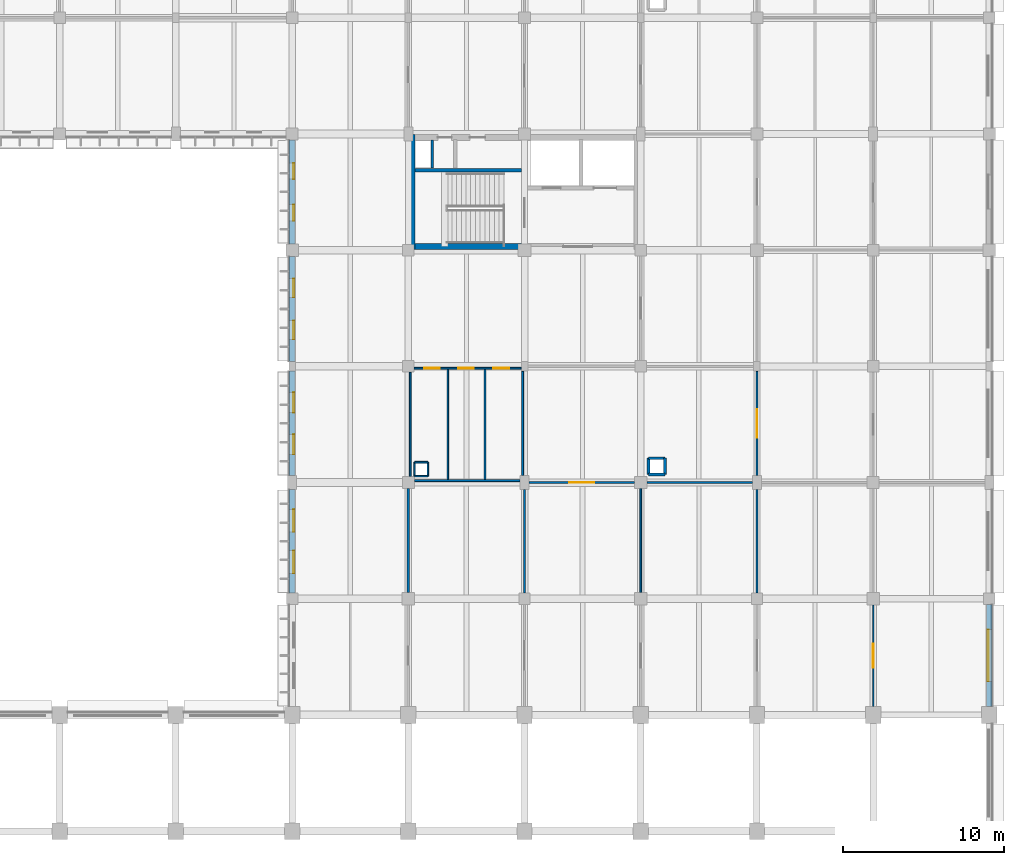
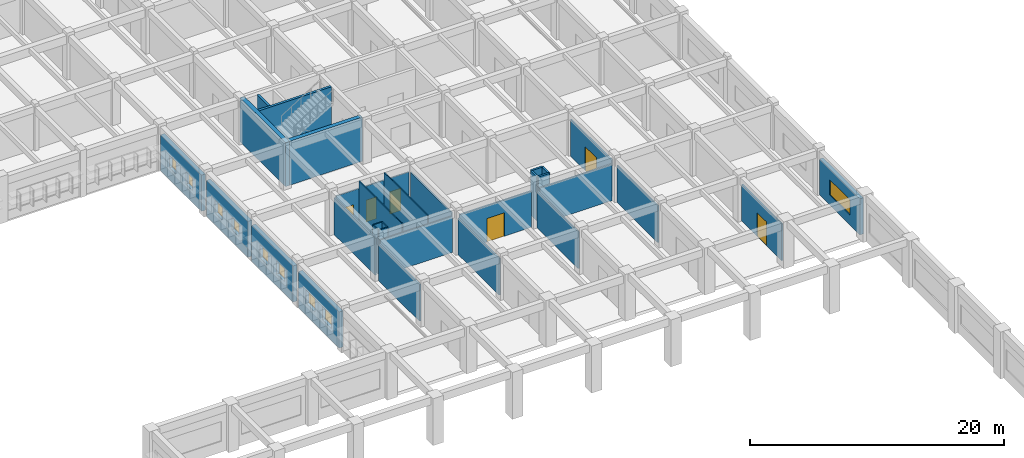
# One storey, part 50 of 61: 31 walls, 9 windows, 6 doors, 15 openings.
"""IFC4 building model written with IfcOpenShell, lengths in metres."""

from ifc_helpers import new_model, si_unit, direction, frame, frame_2d, origin, place, context, subcontext, project, spatial, rectangle, extrude, material, layer, layer_set, type_object, element, fill, save


model = new_model("IFC4")

# Units and contexts
model_context = context("Model", 3, precision=1e-05, world=origin(), true_north=direction((0.0, 1.0)))
body_context = subcontext(model_context, "Body", "Model", "MODEL_VIEW")
ifc_project = project(units=[si_unit("LENGTHUNIT", "METRE"), si_unit("AREAUNIT", "SQUARE_METRE"), si_unit("VOLUMEUNIT", "CUBIC_METRE"), si_unit("PLANEANGLEUNIT", "RADIAN"), si_unit("MASSUNIT", "GRAM", prefix="KILO")], contexts=[model_context])

# Site, building, storey
site_placement = place(None, origin())
site = spatial("IfcSite", under=ifc_project, at=site_placement, CompositionType="ELEMENT")
building_placement = place(site_placement, origin())
building = spatial("IfcBuilding", under=site, at=building_placement, Name="Thalmaran Polytechnic", CompositionType="ELEMENT")
storey_placement = place(building_placement, frame((0.0, 0.0, 9.89990234375)))
storey = spatial("IfcBuildingStorey", under=building, at=storey_placement, Name="L02", CompositionType="ELEMENT", Elevation=9.89990234375)

# Wall, openings, windows
ifc_material_1 = material(Name="Precast concrete C40/50", Category="concrete")
ifc_layer_1 = layer(ifc_material_1, 0.360107421875, Name="Precast concrete C40/50")
ifc_layer_set_1 = layer_set([ifc_layer_1], Name="Precast concrete C40/50")
wall_type_1 = type_object("IfcWallType", Name="WL-EW01", PredefinedType="STANDARD", material=ifc_layer_set_1)
wall_1_placement = place(storey_placement, frame((129.60009765625, 65.14990234375, 0.0), z_axis=(0.0, 0.0, 1.0), x_axis=(0.0, 1.0, 0.0)))
wall_1 = element("IfcWall", 1, at=wall_1_placement, inside=storey, type_object=wall_type_1, Name="Exterior Precast Facade Wall L02-160", PredefinedType="STANDARD", context=body_context, shape_type="SweptSolid", body=[
    extrude(rectangle(XDim=6.425048828125, YDim=0.360107421875, at=frame_2d((3.21240234375, 0.0))), origin(), (0.0, 0.0, 1.0), 3.47021484375),
])
opening_1_placement = place(wall_1_placement, frame((1.2275390625, 0.0, 1.14990234375)))
opening_1 = element("IfcOpeningElement", 2, at=opening_1_placement, cuts=wall_1, Name="Opening VW10", PredefinedType="OPENING", context=body_context, shape_type="SweptSolid", body=[
    extrude(rectangle(XDim=1.39990234375, YDim=1.300048828125, at=frame_2d((0.699951171875, 0.64990234375))), frame((0.0, 0.18994140625, 0.0), z_axis=(0.0, -1.0, 0.0), x_axis=(1.0, 0.0, 0.0)), (0.0, 0.0, 1.0), 0.380126953125),
])
opening_2_placement = place(wall_1_placement, frame((3.797607421875, 0.0, 1.14990234375)))
opening_2 = element("IfcOpeningElement", 3, at=opening_2_placement, cuts=wall_1, Name="Opening VW10", PredefinedType="OPENING", context=body_context, shape_type="SweptSolid", body=[
    extrude(rectangle(XDim=1.39990234375, YDim=1.300048828125, at=frame_2d((0.699951171875, 0.64990234375))), frame((0.0, 0.18994140625, 0.0), z_axis=(0.0, -1.0, 0.0), x_axis=(1.0, 0.0, 0.0)), (0.0, 0.0, 1.0), 0.380126953125),
])
ifc_material_2 = material(Name="Thermally broken aluminium and double low-E glass", Category="aluminium")
window_type_1 = type_object("IfcWindowType", Name="WN-VZ10", PartitioningType="SINGLE_PANEL", PredefinedType="WINDOW", material=ifc_material_2)
window_1_placement = place(opening_1_placement, origin())
window_1 = element("IfcWindow", 4, at=window_1_placement, inside=storey, type_object=window_type_1, Name="Deep-Set Solar-Screened Window W-0374", OverallHeight=1.300048828125, OverallWidth=1.39990234375, PartitioningType="SINGLE_PANEL", PredefinedType="WINDOW", context=body_context, shape_type="SweptSolid", body=[
    extrude(rectangle(XDim=1.39990234375, YDim=1.300048828125, at=frame_2d((0.699951171875, 0.64990234375))), frame((0.0, -0.080078125, 0.0), z_axis=(0.0, -1.0, 0.0), x_axis=(1.0, 0.0, 0.0)), (0.0, 0.0, 1.0), 0.06005859375),
])
fill(opening_1, window_1)
window_2_placement = place(opening_2_placement, origin())
window_2 = element("IfcWindow", 5, at=window_2_placement, inside=storey, type_object=window_type_1, Name="Deep-Set Solar-Screened Window W-0375", OverallHeight=1.300048828125, OverallWidth=1.39990234375, PartitioningType="SINGLE_PANEL", PredefinedType="WINDOW", context=body_context, shape_type="SweptSolid", body=[
    extrude(rectangle(XDim=1.39990234375, YDim=1.300048828125, at=frame_2d((0.699951171875, 0.64990234375))), frame((0.0, -0.080078125, 0.0), z_axis=(0.0, -1.0, 0.0), x_axis=(1.0, 0.0, 0.0)), (0.0, 0.0, 1.0), 0.06005859375),
])
fill(opening_2, window_2)

wall_2_placement = place(storey_placement, frame((129.60009765625, 72.425048828125, 0.0), z_axis=(0.0, 0.0, 1.0), x_axis=(0.0, 1.0, 0.0)))
wall_2 = element("IfcWall", 6, at=wall_2_placement, inside=storey, type_object=wall_type_1, Name="Exterior Precast Facade Wall L02-161", PredefinedType="STANDARD", context=body_context, shape_type="SweptSolid", body=[
    extrude(rectangle(XDim=6.474853515625, YDim=0.360107421875, at=frame_2d((3.2373046875, 0.0))), origin(), (0.0, 0.0, 1.0), 3.47021484375),
])
opening_3_placement = place(wall_2_placement, frame((1.3173828125, 0.0, 1.14990234375)))
opening_3 = element("IfcOpeningElement", 7, at=opening_3_placement, cuts=wall_2, Name="Opening VW11", PredefinedType="OPENING", context=body_context, shape_type="SweptSolid", body=[
    extrude(rectangle(XDim=1.25, YDim=1.25, at=frame_2d((0.625, 0.625))), frame((0.0, 0.18994140625, 0.0), z_axis=(0.0, -1.0, 0.0), x_axis=(1.0, 0.0, 0.0)), (0.0, 0.0, 1.0), 0.380126953125),
])
opening_4_placement = place(wall_2_placement, frame((3.907470703125, 0.0, 1.14990234375)))
opening_4 = element("IfcOpeningElement", 8, at=opening_4_placement, cuts=wall_2, Name="Opening VW11", PredefinedType="OPENING", context=body_context, shape_type="SweptSolid", body=[
    extrude(rectangle(XDim=1.25, YDim=1.25, at=frame_2d((0.625, 0.625))), frame((0.0, 0.18994140625, 0.0), z_axis=(0.0, -1.0, 0.0), x_axis=(1.0, 0.0, 0.0)), (0.0, 0.0, 1.0), 0.380126953125),
])
window_type_2 = type_object("IfcWindowType", Name="WN-VZ11", PartitioningType="SINGLE_PANEL", PredefinedType="WINDOW", material=ifc_material_2)
window_3_placement = place(opening_3_placement, origin())
window_3 = element("IfcWindow", 9, at=window_3_placement, inside=storey, type_object=window_type_2, Name="Deep-Set Solar-Screened Window W-0376", OverallHeight=1.25, OverallWidth=1.25, PartitioningType="SINGLE_PANEL", PredefinedType="WINDOW", context=body_context, shape_type="SweptSolid", body=[
    extrude(rectangle(XDim=1.25, YDim=1.25, at=frame_2d((0.625, 0.625))), frame((0.0, -0.080078125, 0.0), z_axis=(0.0, -1.0, 0.0), x_axis=(1.0, 0.0, 0.0)), (0.0, 0.0, 1.0), 0.06005859375),
])
fill(opening_3, window_3)
window_4_placement = place(opening_4_placement, origin())
window_4 = element("IfcWindow", 10, at=window_4_placement, inside=storey, type_object=window_type_2, Name="Deep-Set Solar-Screened Window W-0377", OverallHeight=1.25, OverallWidth=1.25, PartitioningType="SINGLE_PANEL", PredefinedType="WINDOW", context=body_context, shape_type="SweptSolid", body=[
    extrude(rectangle(XDim=1.25, YDim=1.25, at=frame_2d((0.625, 0.625))), frame((0.0, -0.080078125, 0.0), z_axis=(0.0, -1.0, 0.0), x_axis=(1.0, 0.0, 0.0)), (0.0, 0.0, 1.0), 0.06005859375),
])
fill(opening_4, window_4)

wall_3_placement = place(storey_placement, frame((129.60009765625, 79.5, 0.0), z_axis=(0.0, 0.0, 1.0), x_axis=(0.0, 1.0, 0.0)))
wall_3 = element("IfcWall", 11, at=wall_3_placement, inside=storey, type_object=wall_type_1, Name="Exterior Precast Facade Wall L02-162", PredefinedType="STANDARD", context=body_context, shape_type="SweptSolid", body=[
    extrude(rectangle(XDim=6.510009765625, YDim=0.360107421875, at=frame_2d((3.2548828125, 0.0))), origin(), (0.0, 0.0, 1.0), 3.47021484375),
])
opening_5_placement = place(wall_3_placement, frame((1.3779296875, 0.0, 1.14990234375)))
opening_5 = element("IfcOpeningElement", 12, at=opening_5_placement, cuts=wall_3, Name="Opening VW12", PredefinedType="OPENING", context=body_context, shape_type="SweptSolid", body=[
    extrude(rectangle(XDim=1.14990234375, YDim=1.199951171875, at=frame_2d((0.574951171875, 0.60009765625))), frame((0.0, 0.18994140625, 0.0), z_axis=(0.0, -1.0, 0.0), x_axis=(1.0, 0.0, 0.0)), (0.0, 0.0, 1.0), 0.380126953125),
])
opening_6_placement = place(wall_3_placement, frame((3.98193359375, 0.0, 1.14990234375)))
opening_6 = element("IfcOpeningElement", 13, at=opening_6_placement, cuts=wall_3, Name="Opening VW12", PredefinedType="OPENING", context=body_context, shape_type="SweptSolid", body=[
    extrude(rectangle(XDim=1.14990234375, YDim=1.199951171875, at=frame_2d((0.574951171875, 0.60009765625))), frame((0.0, 0.18994140625, 0.0), z_axis=(0.0, -1.0, 0.0), x_axis=(1.0, 0.0, 0.0)), (0.0, 0.0, 1.0), 0.380126953125),
])
window_type_3 = type_object("IfcWindowType", Name="WN-VZ12", PartitioningType="SINGLE_PANEL", PredefinedType="WINDOW", material=ifc_material_2)
window_5_placement = place(opening_5_placement, origin())
window_5 = element("IfcWindow", 14, at=window_5_placement, inside=storey, type_object=window_type_3, Name="Deep-Set Solar-Screened Window W-0378", OverallHeight=1.199951171875, OverallWidth=1.14990234375, PartitioningType="SINGLE_PANEL", PredefinedType="WINDOW", context=body_context, shape_type="SweptSolid", body=[
    extrude(rectangle(XDim=1.14990234375, YDim=1.199951171875, at=frame_2d((0.574951171875, 0.60009765625))), frame((0.0, -0.080078125, 0.0), z_axis=(0.0, -1.0, 0.0), x_axis=(1.0, 0.0, 0.0)), (0.0, 0.0, 1.0), 0.06005859375),
])
fill(opening_5, window_5)
window_6_placement = place(opening_6_placement, origin())
window_6 = element("IfcWindow", 15, at=window_6_placement, inside=storey, type_object=window_type_3, Name="Deep-Set Solar-Screened Window W-0379", OverallHeight=1.199951171875, OverallWidth=1.14990234375, PartitioningType="SINGLE_PANEL", PredefinedType="WINDOW", context=body_context, shape_type="SweptSolid", body=[
    extrude(rectangle(XDim=1.14990234375, YDim=1.199951171875, at=frame_2d((0.574951171875, 0.60009765625))), frame((0.0, -0.080078125, 0.0), z_axis=(0.0, -1.0, 0.0), x_axis=(1.0, 0.0, 0.0)), (0.0, 0.0, 1.0), 0.06005859375),
])
fill(opening_6, window_6)

wall_4_placement = place(storey_placement, frame((129.60009765625, 86.7900390625, 0.0), z_axis=(0.0, 0.0, 1.0), x_axis=(0.0, 1.0, 0.0)))
wall_4 = element("IfcWall", 16, at=wall_4_placement, inside=storey, type_object=wall_type_1, Name="Exterior Precast Facade Wall L02-163", PredefinedType="STANDARD", context=body_context, shape_type="SweptSolid", body=[
    extrude(rectangle(XDim=6.43505859375, YDim=0.360107421875, at=frame_2d((3.217529296875, 0.0))), origin(), (0.0, 0.0, 1.0), 3.47021484375),
])
opening_7_placement = place(wall_4_placement, frame((1.430419921875, 0.0, 1.14990234375)))
opening_7 = element("IfcOpeningElement", 17, at=opening_7_placement, cuts=wall_4, Name="Opening VW13", PredefinedType="OPENING", context=body_context, shape_type="SweptSolid", body=[
    extrude(rectangle(XDim=1.0, YDim=1.199951171875, at=frame_2d((0.5, 0.60009765625))), frame((0.0, 0.18994140625, 0.0), z_axis=(0.0, -1.0, 0.0), x_axis=(1.0, 0.0, 0.0)), (0.0, 0.0, 1.0), 0.380126953125),
])
opening_8_placement = place(wall_4_placement, frame((4.00439453125, 0.0, 1.14990234375)))
opening_8 = element("IfcOpeningElement", 18, at=opening_8_placement, cuts=wall_4, Name="Opening VW13", PredefinedType="OPENING", context=body_context, shape_type="SweptSolid", body=[
    extrude(rectangle(XDim=1.0, YDim=1.199951171875, at=frame_2d((0.5, 0.60009765625))), frame((0.0, 0.18994140625, 0.0), z_axis=(0.0, -1.0, 0.0), x_axis=(1.0, 0.0, 0.0)), (0.0, 0.0, 1.0), 0.380126953125),
])
window_type_4 = type_object("IfcWindowType", Name="WN-VZ13", PartitioningType="SINGLE_PANEL", PredefinedType="WINDOW", material=ifc_material_2)
window_7_placement = place(opening_7_placement, origin())
window_7 = element("IfcWindow", 19, at=window_7_placement, inside=storey, type_object=window_type_4, Name="Deep-Set Solar-Screened Window W-0380", OverallHeight=1.199951171875, OverallWidth=1.0, PartitioningType="SINGLE_PANEL", PredefinedType="WINDOW", context=body_context, shape_type="SweptSolid", body=[
    extrude(rectangle(XDim=1.0, YDim=1.199951171875, at=frame_2d((0.5, 0.60009765625))), frame((0.0, -0.080078125, 0.0), z_axis=(0.0, -1.0, 0.0), x_axis=(1.0, 0.0, 0.0)), (0.0, 0.0, 1.0), 0.06005859375),
])
fill(opening_7, window_7)
window_8_placement = place(opening_8_placement, origin())
window_8 = element("IfcWindow", 20, at=window_8_placement, inside=storey, type_object=window_type_4, Name="Deep-Set Solar-Screened Window W-0381", OverallHeight=1.199951171875, OverallWidth=1.0, PartitioningType="SINGLE_PANEL", PredefinedType="WINDOW", context=body_context, shape_type="SweptSolid", body=[
    extrude(rectangle(XDim=1.0, YDim=1.199951171875, at=frame_2d((0.5, 0.60009765625))), frame((0.0, -0.080078125, 0.0), z_axis=(0.0, -1.0, 0.0), x_axis=(1.0, 0.0, 0.0)), (0.0, 0.0, 1.0), 0.06005859375),
])
fill(opening_8, window_8)

# Wall, opening, window
ifc_layer_2 = layer(ifc_material_1, 0.330078125, Name="Precast concrete C40/50")
ifc_layer_set_2 = layer_set([ifc_layer_2], Name="Precast concrete C40/50")
wall_type_2 = type_object("IfcWallType", Name="WL-EW02", PredefinedType="STANDARD", material=ifc_layer_set_2)
wall_5_placement = place(storey_placement, frame((172.800048828125, 64.449951171875, 0.0), z_axis=(0.0, 0.0, 1.0), x_axis=(0.0, -1.0, 0.0)))
wall_5 = element("IfcWall", 21, at=wall_5_placement, inside=storey, type_object=wall_type_2, Name="Exterior Precast Facade Wall L02-060", PredefinedType="STANDARD", context=body_context, shape_type="SweptSolid", body=[
    extrude(rectangle(XDim=6.324951171875, YDim=0.330078125, at=frame_2d((3.16259765625, 0.0))), origin(), (0.0, 0.0, 1.0), 3.460205078125),
])
opening_9_placement = place(wall_5_placement, frame((1.5625, 0.0, 0.97998046875)))
opening_9 = element("IfcOpeningElement", 22, at=opening_9_placement, cuts=wall_5, Name="Opening RW04", PredefinedType="OPENING", context=body_context, shape_type="SweptSolid", body=[
    extrude(rectangle(XDim=3.199951171875, YDim=1.449951171875, at=frame_2d((1.60009765625, 0.72509765625))), frame((0.0, 0.175048828125, 0.0), z_axis=(0.0, -1.0, 0.0), x_axis=(1.0, 0.0, 0.0)), (0.0, 0.0, 1.0), 0.35009765625),
])
window_type_5 = type_object("IfcWindowType", Name="WN-RW04", PartitioningType="DOUBLE_PANEL_VERTICAL", PredefinedType="WINDOW", material=ifc_material_2)
window_9_placement = place(opening_9_placement, origin())
window_9 = element("IfcWindow", 23, at=window_9_placement, inside=storey, type_object=window_type_5, Name="Streamline Ribbon Window W-0260", OverallHeight=1.449951171875, OverallWidth=3.199951171875, PartitioningType="SINGLE_PANEL", PredefinedType="WINDOW", context=body_context, shape_type="SweptSolid", body=[
    extrude(rectangle(XDim=3.199951171875, YDim=1.449951171875, at=frame_2d((1.60009765625, 0.72509765625))), frame((0.0, -0.030029296875, 0.0), z_axis=(0.0, -1.0, 0.0), x_axis=(1.0, 0.0, 0.0)), (0.0, 0.0, 1.0), 0.06005859375),
])
fill(opening_9, window_9)

# Walls
ifc_material_3 = material(Name="Autoclaved aerated masonry", Category="masonry")
ifc_layer_3 = layer(ifc_material_3, 0.179931640625, Name="Autoclaved aerated masonry")
ifc_layer_set_3 = layer_set([ifc_layer_3], Name="Autoclaved aerated masonry")
wall_type_3 = type_object("IfcWallType", Name="WL-IW04", PredefinedType="PARTITIONING", material=ifc_layer_set_3)
wall_6_placement = place(storey_placement, frame((138.280029296875, 91.47998046875, 0.0), z_axis=(0.0, 0.0, 1.0), x_axis=(0.0, 1.0, 0.0)))
element("IfcWall", 24, at=wall_6_placement, inside=storey, type_object=wall_type_3, Name="Core C5 Riser Shaft Enclosure Wall L02", PredefinedType="PARTITIONING", context=body_context, shape_type="SweptSolid", body=[
    extrude(rectangle(XDim=1.760009765625, YDim=0.179931640625, at=frame_2d((0.8798828125, 0.0))), origin(), (0.0, 0.0, 1.0), 4.22509765625),
])
for number, where, z_axis, x_axis, name in (
    (25, (151.68994140625, 72.489990234375, 0.0), (0.0, 0.0, 1.0), (1.0, 0.0, 0.0), "Fume Exhaust Riser Shaft Wall L02 (21,10)-S"),
    (26, (152.7099609375, 72.489990234375, 0.0), (0.0, 0.0, 1.0), (0.0, 1.0, 0.0), "Fume Exhaust Riser Shaft Wall L02 (21,10)-E"),
    (27, (152.7099609375, 73.510009765625, 0.0), (0.0, 0.0, 1.0), (-1.0, 0.0, 0.0), "Fume Exhaust Riser Shaft Wall L02 (21,10)-N"),
    (28, (151.68994140625, 73.510009765625, 0.0), (0.0, 0.0, 1.0), (0.0, -1.0, 0.0), "Fume Exhaust Riser Shaft Wall L02 (21,10)-W"),
):
    element("IfcWall", number, at=place(storey_placement, frame(where, z_axis=z_axis, x_axis=x_axis)), inside=storey, type_object=wall_type_3, Name=name, PredefinedType="PARTITIONING", context=body_context, shape_type="SweptSolid", body=[
        extrude(rectangle(XDim=1.02001953125, YDim=0.179931640625, at=frame_2d((0.510009765625, 0.0))), origin(), (0.0, 0.0, 1.0), 4.22509765625),
    ])
ifc_material_4 = material(Name="Gypsum acoustic partition")
ifc_layer_4 = layer(ifc_material_4, 0.14501953125, Name="Gypsum acoustic partition")
ifc_layer_set_4 = layer_set([ifc_layer_4], Name="Gypsum acoustic partition")
wall_type_4 = type_object("IfcWallType", Name="WL-IW06", PredefinedType="PARTITIONING", material=ifc_layer_set_4)
wall_7_placement = place(storey_placement, frame((136.800048828125, 65.195068359375, 0.0), z_axis=(0.0, 0.0, 1.0), x_axis=(0.0, 1.0, 0.0)))
element("IfcWall", 29, at=wall_7_placement, inside=storey, type_object=wall_type_4, Name="Interior Partition IW06 L02-114", PredefinedType="PARTITIONING", context=body_context, shape_type="SweptSolid", body=[
    extrude(rectangle(XDim=6.425048828125, YDim=0.14501953125, at=frame_2d((3.21240234375, 0.0))), origin(), (0.0, 0.0, 1.0), 3.530029296875),
])
ifc_layer_5 = layer(ifc_material_4, 0.1298828125, Name="Gypsum acoustic partition")
ifc_layer_set_5 = layer_set([ifc_layer_5], Name="Gypsum acoustic partition")
wall_type_5 = type_object("IfcWallType", Name="WL-IW07", PredefinedType="PARTITIONING", material=ifc_layer_set_5)
wall_8_placement = place(storey_placement, frame((144.0, 65.155029296875, 0.0), z_axis=(0.0, 0.0, 1.0), x_axis=(0.0, 1.0, 0.0)))
element("IfcWall", 30, at=wall_8_placement, inside=storey, type_object=wall_type_5, Name="Interior Partition IW07 L02-120", PredefinedType="PARTITIONING", context=body_context, shape_type="SweptSolid", body=[
    extrude(rectangle(XDim=6.4150390625, YDim=0.1298828125, at=frame_2d((3.20751953125, 0.0))), origin(), (0.0, 0.0, 1.0), 3.530029296875),
])

# Wall, opening, door
wall_9_placement = place(storey_placement, frame((144.280029296875, 72.0, 0.0), z_axis=(0.0, 0.0, 1.0), x_axis=(1.0, 0.0, 0.0)))
wall_9 = element("IfcWall", 31, at=wall_9_placement, inside=storey, type_object=wall_type_5, Name="Interior Partition IW07 L02-128", PredefinedType="PARTITIONING", context=body_context, shape_type="SweptSolid", body=[
    extrude(rectangle(XDim=6.5400390625, YDim=0.1298828125, at=frame_2d((3.27001953125, 0.0))), origin(), (0.0, 0.0, 1.0), 3.485107421875),
])
opening_10_placement = place(wall_9_placement, frame((2.489990234375, 0.0, 0.0)))
opening_10 = element("IfcOpeningElement", 32, at=opening_10_placement, cuts=wall_9, Name="Opening D-L02-037-5-05-1", PredefinedType="OPENING", context=body_context, shape_type="SweptSolid", body=[
    extrude(rectangle(XDim=1.56005859375, YDim=2.25, at=frame_2d((0.780029296875, 1.125))), frame((0.0, 0.074951171875, 0.0), z_axis=(0.0, -1.0, 0.0), x_axis=(1.0, 0.0, 0.0)), (0.0, 0.0, 1.0), 0.14990234375),
])
ifc_material_5 = material(Name="Acoustic hardwood and vision glass", Category="wood")
door_type_1 = type_object("IfcDoorType", Name="DR-ZD03", OperationType="NOTDEFINED", PredefinedType="DOOR", material=ifc_material_5)
door_1_placement = place(opening_10_placement, origin())
door_1 = element("IfcDoor", 33, at=door_1_placement, inside=storey, type_object=door_type_1, Name="Marine Systems Laboratory L02-05 Door 1", OperationType="SINGLE_SWING_RIGHT", OverallHeight=2.25, OverallWidth=1.56005859375, PredefinedType="DOOR", context=body_context, shape_type="SweptSolid", body=[
    extrude(rectangle(XDim=1.56005859375, YDim=2.25, at=frame_2d((0.780029296875, 1.125))), frame((0.0, 0.02490234375, 0.0), z_axis=(0.0, -1.0, 0.0), x_axis=(1.0, 0.0, 0.0)), (0.0, 0.0, 1.0), 0.050048828125),
])
fill(opening_10, door_1)

# Walls
wall_10_placement = place(storey_placement, frame((151.580078125, 72.0, 0.0), z_axis=(0.0, 0.0, 1.0), x_axis=(1.0, 0.0, 0.0)))
element("IfcWall", 34, at=wall_10_placement, inside=storey, type_object=wall_type_5, Name="Interior Partition IW07 L02-138", PredefinedType="PARTITIONING", context=body_context, shape_type="SweptSolid", body=[
    extrude(rectangle(XDim=6.5400390625, YDim=0.1298828125, at=frame_2d((3.27001953125, 0.0))), origin(), (0.0, 0.0, 1.0), 3.5),
])
ifc_layer_6 = layer(ifc_material_4, 0.114990234375, Name="Gypsum acoustic partition")
ifc_layer_set_6 = layer_set([ifc_layer_6], Name="Gypsum acoustic partition")
wall_type_6 = type_object("IfcWallType", Name="WL-IW08", PredefinedType="PARTITIONING", material=ifc_layer_set_6)
wall_11_placement = place(storey_placement, frame((137.179931640625, 72.1201171875, 0.0), z_axis=(0.0, 0.0, 1.0), x_axis=(1.0, 0.0, 0.0)))
element("IfcWall", 35, at=wall_11_placement, inside=storey, type_object=wall_type_6, Name="Sanitary Core Wall L02-W3-S", PredefinedType="PARTITIONING", context=body_context, shape_type="SweptSolid", body=[
    extrude(rectangle(XDim=6.5400390625, YDim=0.114990234375, at=frame_2d((3.27001953125, 0.0))), origin(), (0.0, 0.0, 1.0), 3.47509765625),
])

# Wall, openings, doors
wall_12_placement = place(storey_placement, frame((137.1650390625, 79.080078125, 0.0), z_axis=(0.0, 0.0, 1.0), x_axis=(1.0, 0.0, 0.0)))
wall_12 = element("IfcWall", 36, at=wall_12_placement, inside=storey, type_object=wall_type_6, Name="Sanitary Core Wall L02-W3-N", PredefinedType="PARTITIONING", context=body_context, shape_type="SweptSolid", body=[
    extrude(rectangle(XDim=6.6298828125, YDim=0.114990234375, at=frame_2d((3.31494140625, 0.0))), origin(), (0.0, 0.0, 1.0), 3.47509765625),
])
opening_11_placement = place(wall_12_placement, frame((0.635009765625, 0.0, 0.0)))
opening_11 = element("IfcOpeningElement", 37, at=opening_11_placement, cuts=wall_12, Name="Opening WD-L02-W3-1", PredefinedType="OPENING", context=body_context, shape_type="SweptSolid", body=[
    extrude(rectangle(XDim=0.949951171875, YDim=2.10009765625, at=frame_2d((0.47509765625, 1.050048828125))), frame((0.0, 0.0673828125, 0.0), z_axis=(0.0, -1.0, 0.0), x_axis=(1.0, 0.0, 0.0)), (0.0, 0.0, 1.0), 0.135009765625),
])
opening_12_placement = place(wall_12_placement, frame((2.735107421875, 0.0, 0.0)))
opening_12 = element("IfcOpeningElement", 38, at=opening_12_placement, cuts=wall_12, Name="Opening WD-L02-W3-2", PredefinedType="OPENING", context=body_context, shape_type="SweptSolid", body=[
    extrude(rectangle(XDim=0.949951171875, YDim=2.10009765625, at=frame_2d((0.47509765625, 1.050048828125))), frame((0.0, 0.0673828125, 0.0), z_axis=(0.0, -1.0, 0.0), x_axis=(1.0, 0.0, 0.0)), (0.0, 0.0, 1.0), 0.135009765625),
])
opening_13_placement = place(wall_12_placement, frame((4.885009765625, 0.0, 0.0)))
opening_13 = element("IfcOpeningElement", 39, at=opening_13_placement, cuts=wall_12, Name="Opening WD-L02-W3-3", PredefinedType="OPENING", context=body_context, shape_type="SweptSolid", body=[
    extrude(rectangle(XDim=1.0, YDim=2.14990234375, at=frame_2d((0.5, 1.074951171875))), frame((0.0, 0.0673828125, 0.0), z_axis=(0.0, -1.0, 0.0), x_axis=(1.0, 0.0, 0.0)), (0.0, 0.0, 1.0), 0.135009765625),
])
ifc_material_6 = material(Name="Acoustic hardwood", Category="wood")
door_type_2 = type_object("IfcDoorType", Name="DR-ID06", OperationType="NOTDEFINED", PredefinedType="DOOR", material=ifc_material_6)
door_2_placement = place(opening_13_placement, origin())
door_2 = element("IfcDoor", 40, at=door_2_placement, inside=storey, type_object=door_type_2, Name="Accessible WC Door L02-W3", OperationType="SINGLE_SWING_LEFT", OverallHeight=2.14990234375, OverallWidth=1.0, PredefinedType="DOOR", context=body_context, shape_type="SweptSolid", body=[
    extrude(rectangle(XDim=1.0, YDim=2.14990234375, at=frame_2d((0.5, 1.074951171875))), frame((0.0, 0.02490234375, 0.0), z_axis=(0.0, -1.0, 0.0), x_axis=(1.0, 0.0, 0.0)), (0.0, 0.0, 1.0), 0.050048828125),
])
fill(opening_13, door_2)
ifc_material_7 = material(Name="Moisture-resistant laminate timber", Category="wood")
door_type_3 = type_object("IfcDoorType", Name="DR-ID07", OperationType="NOTDEFINED", PredefinedType="DOOR", material=ifc_material_7)
door_3_placement = place(opening_11_placement, origin())
door_3 = element("IfcDoor", 41, at=door_3_placement, inside=storey, type_object=door_type_3, Name="Male WC Door L02-W3", OperationType="SINGLE_SWING_LEFT", OverallHeight=2.10009765625, OverallWidth=0.949951171875, PredefinedType="DOOR", context=body_context, shape_type="SweptSolid", body=[
    extrude(rectangle(XDim=0.949951171875, YDim=2.10009765625, at=frame_2d((0.47509765625, 1.050048828125))), frame((0.0, 0.02490234375, 0.0), z_axis=(0.0, -1.0, 0.0), x_axis=(1.0, 0.0, 0.0)), (0.0, 0.0, 1.0), 0.050048828125),
])
fill(opening_11, door_3)
door_4_placement = place(opening_12_placement, origin())
door_4 = element("IfcDoor", 42, at=door_4_placement, inside=storey, type_object=door_type_3, Name="Female WC Door L02-W3", OperationType="SINGLE_SWING_RIGHT", OverallHeight=2.10009765625, OverallWidth=0.949951171875, PredefinedType="DOOR", context=body_context, shape_type="SweptSolid", body=[
    extrude(rectangle(XDim=0.949951171875, YDim=2.10009765625, at=frame_2d((0.47509765625, 1.050048828125))), frame((0.0, 0.02490234375, 0.0), z_axis=(0.0, -1.0, 0.0), x_axis=(1.0, 0.0, 0.0)), (0.0, 0.0, 1.0), 0.050048828125),
])
fill(opening_12, door_4)

# Walls
wall_13_placement = place(storey_placement, frame((136.919921875, 72.3798828125, 0.0), z_axis=(0.0, 0.0, 1.0), x_axis=(0.0, 1.0, 0.0)))
element("IfcWall", 43, at=wall_13_placement, inside=storey, type_object=wall_type_6, Name="Sanitary Side Wall L02-W3-W", PredefinedType="PARTITIONING", context=body_context, shape_type="SweptSolid", body=[
    extrude(rectangle(XDim=6.455078125, YDim=0.114990234375, at=frame_2d((3.2275390625, 0.0))), origin(), (0.0, 0.0, 1.0), 3.530029296875),
])
wall_14_placement = place(storey_placement, frame((143.8798828125, 72.429931640625, 0.0), z_axis=(0.0, 0.0, 1.0), x_axis=(0.0, 1.0, 0.0)))
element("IfcWall", 44, at=wall_14_placement, inside=storey, type_object=wall_type_6, Name="Sanitary Side Wall L02-W3-E", PredefinedType="PARTITIONING", context=body_context, shape_type="SweptSolid", body=[
    extrude(rectangle(XDim=6.465087890625, YDim=0.114990234375, at=frame_2d((3.232421875, 0.0))), origin(), (0.0, 0.0, 1.0), 3.530029296875),
])
wall_15_placement = place(storey_placement, frame((151.199951171875, 65.195068359375, 0.0), z_axis=(0.0, 0.0, 1.0), x_axis=(0.0, 1.0, 0.0)))
element("IfcWall", 45, at=wall_15_placement, inside=storey, type_object=wall_type_6, Name="Interior Partition IW08 L02-127", PredefinedType="PARTITIONING", context=body_context, shape_type="SweptSolid", body=[
    extrude(rectangle(XDim=6.425048828125, YDim=0.114990234375, at=frame_2d((3.21240234375, 0.0))), origin(), (0.0, 0.0, 1.0), 3.530029296875),
])
wall_16_placement = place(storey_placement, frame((158.39990234375, 65.155029296875, 0.0), z_axis=(0.0, 0.0, 1.0), x_axis=(0.0, 1.0, 0.0)))
element("IfcWall", 46, at=wall_16_placement, inside=storey, type_object=wall_type_6, Name="Interior Partition IW08 L02-137", PredefinedType="PARTITIONING", context=body_context, shape_type="SweptSolid", body=[
    extrude(rectangle(XDim=6.4150390625, YDim=0.114990234375, at=frame_2d((3.20751953125, 0.0))), origin(), (0.0, 0.0, 1.0), 3.530029296875),
])

# Wall, opening, door
wall_17_placement = place(storey_placement, frame((158.39990234375, 72.429931640625, 0.0), z_axis=(0.0, 0.0, 1.0), x_axis=(0.0, 1.0, 0.0)))
wall_17 = element("IfcWall", 47, at=wall_17_placement, inside=storey, type_object=wall_type_6, Name="Interior Partition IW08 L02-139", PredefinedType="PARTITIONING", context=body_context, shape_type="SweptSolid", body=[
    extrude(rectangle(XDim=6.465087890625, YDim=0.114990234375, at=frame_2d((3.232421875, 0.0))), origin(), (0.0, 0.0, 1.0), 3.530029296875),
])
opening_14_placement = place(wall_17_placement, frame((2.3525390625, 0.0, 0.0)))
opening_14 = element("IfcOpeningElement", 48, at=opening_14_placement, cuts=wall_17, Name="Opening D-L02-045-5-13-1", PredefinedType="OPENING", context=body_context, shape_type="SweptSolid", body=[
    extrude(rectangle(XDim=1.760009765625, YDim=2.300048828125, at=frame_2d((0.8798828125, 1.14990234375))), frame((0.0, 0.0673828125, 0.0), z_axis=(0.0, -1.0, 0.0), x_axis=(1.0, 0.0, 0.0)), (0.0, 0.0, 1.0), 0.135009765625),
])
door_type_4 = type_object("IfcDoorType", Name="DR-ZD02", OperationType="NOTDEFINED", PredefinedType="DOOR", material=ifc_material_5)
door_5_placement = place(opening_14_placement, origin())
door_5 = element("IfcDoor", 49, at=door_5_placement, inside=storey, type_object=door_type_4, Name="Product Design Studio L02-13 Door 1", OperationType="SINGLE_SWING_RIGHT", OverallHeight=2.300048828125, OverallWidth=1.760009765625, PredefinedType="DOOR", context=body_context, shape_type="SweptSolid", body=[
    extrude(rectangle(XDim=1.760009765625, YDim=2.300048828125, at=frame_2d((0.8798828125, 1.14990234375))), frame((0.0, 0.02490234375, 0.0), z_axis=(0.0, -1.0, 0.0), x_axis=(1.0, 0.0, 0.0)), (0.0, 0.0, 1.0), 0.050048828125),
])
fill(opening_14, door_5)

wall_18_placement = place(storey_placement, frame((165.60009765625, 58.1298828125, 0.0), z_axis=(0.0, 0.0, 1.0), x_axis=(0.0, 1.0, 0.0)))
wall_18 = element("IfcWall", 50, at=wall_18_placement, inside=storey, type_object=wall_type_6, Name="Interior Partition IW08 L02-149", PredefinedType="PARTITIONING", context=body_context, shape_type="SweptSolid", body=[
    extrude(rectangle(XDim=6.275146484375, YDim=0.114990234375, at=frame_2d((3.1376953125, 0.0))), origin(), (0.0, 0.0, 1.0), 3.525146484375),
])
opening_15_placement = place(wall_18_placement, frame((2.3974609375, 0.0, 0.0)))
opening_15 = element("IfcOpeningElement", 51, at=opening_15_placement, cuts=wall_18, Name="Opening D-L02-049-5-17-1", PredefinedType="OPENING", context=body_context, shape_type="SweptSolid", body=[
    extrude(rectangle(XDim=1.47998046875, YDim=2.280029296875, at=frame_2d((0.739990234375, 1.14013671875))), frame((0.0, 0.0673828125, 0.0), z_axis=(0.0, -1.0, 0.0), x_axis=(1.0, 0.0, 0.0)), (0.0, 0.0, 1.0), 0.135009765625),
])
ifc_material_8 = material(Name="Powder-coated fire-rated steel", Category="steel")
door_type_5 = type_object("IfcDoorType", Name="DR-ZD09", OperationType="NOTDEFINED", PredefinedType="DOOR", material=ifc_material_8)
door_6_placement = place(opening_15_placement, origin())
door_6 = element("IfcDoor", 52, at=door_6_placement, inside=storey, type_object=door_type_5, Name="Marine Systems Laboratory L02-17 Door 1", OperationType="SINGLE_SWING_RIGHT", OverallHeight=2.280029296875, OverallWidth=1.47998046875, PredefinedType="DOOR", context=body_context, shape_type="SweptSolid", body=[
    extrude(rectangle(XDim=1.47998046875, YDim=2.280029296875, at=frame_2d((0.739990234375, 1.14013671875))), frame((0.0, 0.02490234375, 0.0), z_axis=(0.0, -1.0, 0.0), x_axis=(1.0, 0.0, 0.0)), (0.0, 0.0, 1.0), 0.050048828125),
])
fill(opening_15, door_6)

# Walls
ifc_material_9 = material(Name="Moisture-resistant partition")
ifc_layer_7 = layer(ifc_material_9, 0.10009765625, Name="Moisture-resistant partition")
ifc_layer_set_7 = layer_set([ifc_layer_7], Name="Moisture-resistant partition")
wall_type_7 = type_object("IfcWallType", Name="WL-IW09", PredefinedType="PARTITIONING", material=ifc_layer_set_7)
for number, where, z_axis, x_axis, name in (
    (53, (139.25, 72.199951171875, 0.0), (0.0, 0.0, 1.0), (0.0, 1.0, 0.0), "WC Partition L02-W3-1"),
    (54, (141.550048828125, 72.199951171875, 0.0), (0.0, 0.0, 1.0), (0.0, 1.0, 0.0), "WC Partition L02-W3-2"),
):
    element("IfcWall", number, at=place(storey_placement, frame(where, z_axis=z_axis, x_axis=x_axis)), inside=storey, type_object=wall_type_7, Name=name, PredefinedType="PARTITIONING", context=body_context, shape_type="SweptSolid", body=[
        extrude(rectangle(XDim=6.800048828125, YDim=0.10009765625, at=frame_2d((3.39990234375, 0.0))), origin(), (0.0, 0.0, 1.0), 4.22509765625),
    ])
wall_19_placement = place(storey_placement, frame((137.18994140625, 72.39990234375, 0.0), z_axis=(0.0, 0.0, 1.0), x_axis=(1.0, 0.0, 0.0)))
element("IfcWall", 55, at=wall_19_placement, inside=storey, type_object=wall_type_7, Name="Plumbing Riser Chase Wall L02-W3-S", PredefinedType="PARTITIONING", context=body_context, shape_type="SweptSolid", body=[
    extrude(rectangle(XDim=0.820068359375, YDim=0.10009765625, at=frame_2d((0.41015625, 0.0))), origin(), (0.0, 0.0, 1.0), 4.22509765625),
])
wall_20_placement = place(storey_placement, frame((138.010009765625, 72.39990234375, 0.0), z_axis=(0.0, 0.0, 1.0), x_axis=(0.0, 1.0, 0.0)))
element("IfcWall", 56, at=wall_20_placement, inside=storey, type_object=wall_type_7, Name="Plumbing Riser Chase Wall L02-W3-E", PredefinedType="PARTITIONING", context=body_context, shape_type="SweptSolid", body=[
    extrude(rectangle(XDim=0.860107421875, YDim=0.10009765625, at=frame_2d((0.43017578125, 0.0))), origin(), (0.0, 0.0, 1.0), 4.22509765625),
])
wall_21_placement = place(storey_placement, frame((138.010009765625, 73.260009765625, 0.0), z_axis=(0.0, 0.0, 1.0), x_axis=(-1.0, 0.0, 0.0)))
element("IfcWall", 57, at=wall_21_placement, inside=storey, type_object=wall_type_7, Name="Plumbing Riser Chase Wall L02-W3-N", PredefinedType="PARTITIONING", context=body_context, shape_type="SweptSolid", body=[
    extrude(rectangle(XDim=0.820068359375, YDim=0.10009765625, at=frame_2d((0.41015625, 0.0))), origin(), (0.0, 0.0, 1.0), 4.22509765625),
])
wall_22_placement = place(storey_placement, frame((137.18994140625, 73.260009765625, 0.0), z_axis=(0.0, 0.0, 1.0), x_axis=(0.0, -1.0, 0.0)))
element("IfcWall", 58, at=wall_22_placement, inside=storey, type_object=wall_type_7, Name="Plumbing Riser Chase Wall L02-W3-W", PredefinedType="PARTITIONING", context=body_context, shape_type="SweptSolid", body=[
    extrude(rectangle(XDim=0.860107421875, YDim=0.10009765625, at=frame_2d((0.43017578125, 0.0))), origin(), (0.0, 0.0, 1.0), 4.22509765625),
])
ifc_material_10 = material(Name="Concrete C50/60", Category="concrete")
ifc_layer_8 = layer(ifc_material_10, 0.3798828125, Name="Concrete C50/60")
ifc_layer_set_8 = layer_set([ifc_layer_8], Name="Concrete C50/60")
wall_type_8 = type_object("IfcWallType", Name="WL-SW02", PredefinedType="SHEAR", material=ifc_layer_set_8)
wall_23_placement = place(storey_placement, frame((137.2099609375, 86.6201171875, 0.0), z_axis=(0.0, 0.0, 1.0), x_axis=(1.0, 0.0, 0.0)))
element("IfcWall", 59, at=wall_23_placement, inside=storey, type_object=wall_type_8, Name="Core C5 South Shear Wall L02", PredefinedType="SHEAR", context=body_context, shape_type="SweptSolid", body=[
    extrude(rectangle(XDim=6.60009765625, YDim=0.3798828125, at=frame_2d((3.300048828125, 0.0))), origin(), (0.0, 0.0, 1.0), 4.22509765625),
])
wall_24_placement = place(storey_placement, frame((137.02001953125, 93.570068359375, 0.0), z_axis=(0.0, 0.0, 1.0), x_axis=(0.0, -1.0, 0.0)))
element("IfcWall", 60, at=wall_24_placement, inside=storey, type_object=wall_type_8, Name="Core C5 West Shear Wall L02", PredefinedType="SHEAR", context=body_context, shape_type="SweptSolid", body=[
    extrude(rectangle(XDim=7.14013671875, YDim=0.3798828125, at=frame_2d((3.570068359375, 0.0))), origin(), (0.0, 0.0, 1.0), 4.22509765625),
])
wall_25_placement = place(storey_placement, frame((137.2099609375, 91.360107421875, 0.0), z_axis=(0.0, 0.0, 1.0), x_axis=(1.0, 0.0, 0.0)))
element("IfcWall", 61, at=wall_25_placement, inside=storey, type_object=wall_type_8, Name="Core C5 Stair Partition L02", PredefinedType="SHEAR", context=body_context, shape_type="SweptSolid", body=[
    extrude(rectangle(XDim=6.60009765625, YDim=0.219970703125, at=frame_2d((3.300048828125, 0.0))), origin(), (0.0, 0.0, 1.0), 4.22509765625),
])

save(model, "model.ifc")
